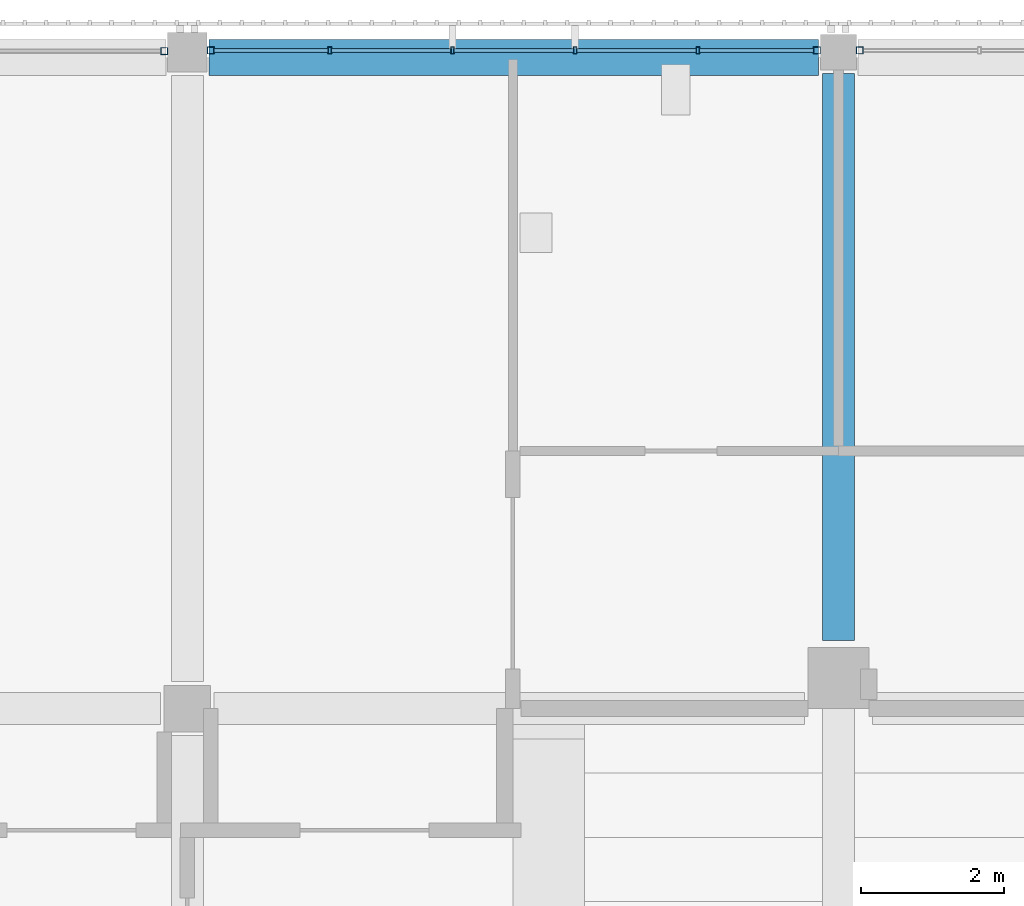
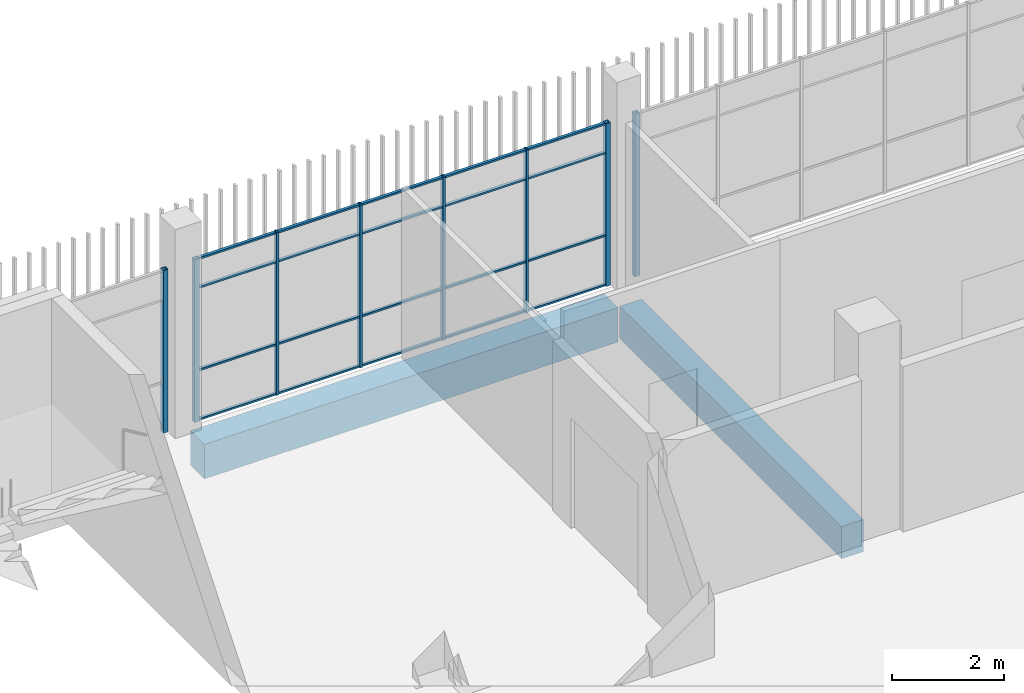
# One storey, part 38 of 139: 28 members, 2 beams, 3 elements without a shape of their own.
"""IFC4 building model written with IfcOpenShell, lengths in metres."""

from ifc_helpers import new_model, si_unit, direction, frame, origin, origin_2d, place, context, subcontext, project, spatial, rectangle, hollow_rectangle, extrude, material, layer, layer_set, material_profile, profile_set, type_object, element, aggregate, save


model = new_model("IFC4")

# Units and contexts
model_context = context("Model", 3, precision=1e-05, world=origin(), true_north=direction((0.0, 1.0)))
body_context = subcontext(model_context, "Body", "Model", "MODEL_VIEW")
ifc_project = project(units=[si_unit("LENGTHUNIT", "METRE"), si_unit("AREAUNIT", "SQUARE_METRE"), si_unit("VOLUMEUNIT", "CUBIC_METRE"), si_unit("PLANEANGLEUNIT", "RADIAN"), si_unit("MASSUNIT", "GRAM", prefix="KILO")], contexts=[model_context])

# Site, building, storey
site_placement = place(None, origin())
site = spatial("IfcSite", under=ifc_project, at=site_placement, CompositionType="ELEMENT")
building_placement = place(site_placement, origin())
building = spatial("IfcBuilding", under=site, at=building_placement, Name="Shirokan Park Arena", CompositionType="ELEMENT")
storey_placement = place(building_placement, frame((0.0, 0.0, 15.469970703125)))
storey = spatial("IfcBuildingStorey", under=building, at=storey_placement, Name="L03", CompositionType="ELEMENT", Elevation=15.469970703125)

# Curtain wall, member
ifc_material_1 = material(Name="Steel and glass curtain wall", Category="steel")
ifc_layer_1 = layer(ifc_material_1, 0.10009765625)
ifc_layer_set_1 = layer_set([ifc_layer_1], Name="Steel and glass curtain wall 100 mm")
curtain_wall_type_1 = type_object("IfcCurtainWallType", Name="Curtain wall sheltered bay 100", PredefinedType="NOTDEFINED", material=ifc_layer_set_1)
curtain_wall_1_placement = place(storey_placement, origin())
curtain_wall_1 = element("IfcCurtainWall", 1, at=curtain_wall_1_placement, inside=storey, type_object=curtain_wall_type_1, Name="Curtain wall north bay 11 L03", PredefinedType="NOTDEFINED")
ifc_material_2 = material(Name="Steel S355", Category="steel")
ifc_material_profile_1 = material_profile(ifc_material_2, hollow_rectangle(XDim=0.10009765625, YDim=0.10009765625, WallThickness=0.006103515625, at=origin_2d()), Name="RHS 100x100x6")
ifc_profile_set_1 = profile_set([ifc_material_profile_1], Name="Steel S355")
member_type_1 = type_object("IfcMemberType", Name="Mullion RHS 100x100x6", PredefinedType="MULLION", material=ifc_profile_set_1)
member_1_placement = place(storey_placement, frame((45.800048828125, 109.300048828125, 0.0), z_axis=(0.0, 0.0, 1.0), x_axis=(0.0, -1.0, 0.0)))
member_1 = element("IfcMember", 2, at=member_1_placement, type_object=member_type_1, Name="CW2 mullion 6", PredefinedType="MULLION", context=body_context, shape_type="SweptSolid", body=[
    extrude(hollow_rectangle(XDim=0.10009765625, YDim=0.10009765625, WallThickness=0.006103515625, at=origin_2d()), origin(), (0.0, 0.0, 1.0), 3.550048828125),
])
aggregate(curtain_wall_1, [member_1])

# Curtain wall, members
curtain_wall_2_placement = place(storey_placement, origin())
curtain_wall_2 = element("IfcCurtainWall", 3, at=curtain_wall_2_placement, inside=storey, type_object=curtain_wall_type_1, Name="Curtain wall north bay 12 L03", PredefinedType="NOTDEFINED")
member_2_placement = place(storey_placement, frame((45.199951171875, 109.300048828125, 0.0), z_axis=(0.0, 0.0, 1.0), x_axis=(0.0, -1.0, 0.0)))
member_2 = element("IfcMember", 4, at=member_2_placement, type_object=member_type_1, Name="CW2 mullion 1", PredefinedType="MULLION", context=body_context, shape_type="SweptSolid", body=[
    extrude(hollow_rectangle(XDim=0.10009765625, YDim=0.10009765625, WallThickness=0.006103515625, at=origin_2d()), origin(), (0.0, 0.0, 1.0), 3.550048828125),
])
member_3_placement = place(storey_placement, frame((36.72509765625, 109.300048828125, 0.0), z_axis=(0.0, 0.0, 1.0), x_axis=(0.0, -1.0, 0.0)))
member_3 = element("IfcMember", 5, at=member_3_placement, type_object=member_type_1, Name="CW2 mullion 6", PredefinedType="MULLION", context=body_context, shape_type="SweptSolid", body=[
    extrude(hollow_rectangle(XDim=0.10009765625, YDim=0.10009765625, WallThickness=0.006103515625, at=origin_2d()), origin(), (0.0, 0.0, 1.0), 3.550048828125),
])

# Curtain wall, member
ifc_layer_2 = layer(ifc_material_1, 0.1201171875)
ifc_layer_set_2 = layer_set([ifc_layer_2], Name="Steel and glass curtain wall 120 mm")
curtain_wall_type_2 = type_object("IfcCurtainWallType", Name="Curtain wall corner block side bay 120", PredefinedType="NOTDEFINED", material=ifc_layer_set_2)
curtain_wall_3_placement = place(storey_placement, origin())
curtain_wall_3 = element("IfcCurtainWall", 6, at=curtain_wall_3_placement, inside=storey, type_object=curtain_wall_type_2, Name="Curtain wall north bay 13 L03", PredefinedType="NOTDEFINED")
member_4_placement = place(storey_placement, frame((36.074951171875, 109.2900390625, 0.0), z_axis=(0.0, 0.0, 1.0), x_axis=(0.0, -1.0, 0.0)))
member_4 = element("IfcMember", 7, at=member_4_placement, type_object=member_type_1, Name="CW3 mullion 1", PredefinedType="MULLION", context=body_context, shape_type="SweptSolid", body=[
    extrude(hollow_rectangle(XDim=0.10009765625, YDim=0.10009765625, WallThickness=0.006103515625, at=origin_2d()), origin(), (0.0, 0.0, 1.0), 3.550048828125),
])
aggregate(curtain_wall_3, [member_4])

# Member
ifc_material_profile_2 = material_profile(ifc_material_2, hollow_rectangle(XDim=0.10009765625, YDim=0.050048828125, WallThickness=0.0048828125, at=origin_2d()), Name="RHS 100x50x5")
ifc_profile_set_2 = profile_set([ifc_material_profile_2], Name="Steel S355")
member_type_2 = type_object("IfcMemberType", Name="Mullion RHS 100x50x5", PredefinedType="MULLION", material=ifc_profile_set_2)
member_5_placement = place(storey_placement, frame((43.534912109375, 109.300048828125, 0.0), z_axis=(0.0, 0.0, 1.0), x_axis=(0.0, -1.0, 0.0)))
member_5 = element("IfcMember", 8, at=member_5_placement, type_object=member_type_2, Name="CW2 mullion 2", PredefinedType="MULLION", context=body_context, shape_type="SweptSolid", body=[
    extrude(hollow_rectangle(XDim=0.10009765625, YDim=0.050048828125, WallThickness=0.0048828125, at=origin_2d()), origin(), (0.0, 0.0, 1.0), 3.550048828125),
])

member_6_placement = place(storey_placement, frame((41.820068359375, 109.300048828125, 0.0), z_axis=(0.0, 0.0, 1.0), x_axis=(0.0, -1.0, 0.0)))
member_6 = element("IfcMember", 9, at=member_6_placement, type_object=member_type_2, Name="CW2 mullion 3", PredefinedType="MULLION", context=body_context, shape_type="SweptSolid", body=[
    extrude(hollow_rectangle(XDim=0.10009765625, YDim=0.050048828125, WallThickness=0.0048828125, at=origin_2d()), origin(), (0.0, 0.0, 1.0), 3.550048828125),
])

member_7_placement = place(storey_placement, frame((40.10498046875, 109.300048828125, 0.0), z_axis=(0.0, 0.0, 1.0), x_axis=(0.0, -1.0, 0.0)))
member_7 = element("IfcMember", 10, at=member_7_placement, type_object=member_type_2, Name="CW2 mullion 4", PredefinedType="MULLION", context=body_context, shape_type="SweptSolid", body=[
    extrude(hollow_rectangle(XDim=0.10009765625, YDim=0.050048828125, WallThickness=0.0048828125, at=origin_2d()), origin(), (0.0, 0.0, 1.0), 3.550048828125),
])

member_8_placement = place(storey_placement, frame((38.389892578125, 109.300048828125, 0.0), z_axis=(0.0, 0.0, 1.0), x_axis=(0.0, -1.0, 0.0)))
member_8 = element("IfcMember", 11, at=member_8_placement, type_object=member_type_2, Name="CW2 mullion 5", PredefinedType="MULLION", context=body_context, shape_type="SweptSolid", body=[
    extrude(hollow_rectangle(XDim=0.10009765625, YDim=0.050048828125, WallThickness=0.0048828125, at=origin_2d()), origin(), (0.0, 0.0, 1.0), 3.550048828125),
])

# Beams
ifc_material_3 = material(Name="Concrete C35", Category="concrete")
ifc_material_profile_3 = material_profile(ifc_material_3, rectangle(XDim=0.449951171875, YDim=0.699951171875, at=origin_2d()), Name="450x700")
ifc_profile_set_3 = profile_set([ifc_material_profile_3], Name="Concrete C35")
beam_type_1 = type_object("IfcBeamType", Name="RC girder 450x700", PredefinedType="BEAM", material=ifc_profile_set_3)
beam_1_placement = place(storey_placement, frame((45.5, 101.050048828125, -0.64990234375), z_axis=(0.0, 1.0, 0.0), x_axis=(-1.0, 0.0, 0.0)))
element("IfcBeam", 12, at=beam_1_placement, inside=storey, type_object=beam_type_1, Name="Girder 6M-6N L03", PredefinedType="BEAM", context=body_context, shape_type="SweptSolid", body=[
    extrude(rectangle(XDim=0.449951171875, YDim=0.699951171875, at=origin_2d()), origin(), (0.0, 0.0, 1.0), 7.9248046875),
])
ifc_material_profile_4 = material_profile(ifc_material_3, rectangle(XDim=0.5, YDim=0.75, at=origin_2d()), Name="500x750")
ifc_profile_set_4 = profile_set([ifc_material_profile_4], Name="Concrete C35")
beam_type_2 = type_object("IfcBeamType", Name="RC girder 500x750", PredefinedType="BEAM", material=ifc_profile_set_4)
beam_2_placement = place(storey_placement, frame((36.7001953125, 109.199951171875, -0.675048828125), z_axis=(1.0, 0.0, 0.0), x_axis=(0.0, 1.0, 0.0)))
element("IfcBeam", 13, at=beam_2_placement, inside=storey, type_object=beam_type_2, Name="Girder 5N-6N L03", PredefinedType="BEAM", context=body_context, shape_type="SweptSolid", body=[
    extrude(rectangle(XDim=0.5, YDim=0.75, at=origin_2d()), origin(), (0.0, 0.0, 1.0), 8.524658203125),
])

# Member
ifc_material_profile_5 = material_profile(ifc_material_2, hollow_rectangle(XDim=0.06005859375, YDim=0.0400390625, WallThickness=0.00390625, at=origin_2d()), Name="RHS 60x40x4")
ifc_profile_set_5 = profile_set([ifc_material_profile_5], Name="Steel S355")
member_type_3 = type_object("IfcMemberType", Name="Transom RHS 60x40x4", PredefinedType="MULLION", material=ifc_profile_set_5)
member_9_placement = place(storey_placement, frame((45.14990234375, 109.300048828125, 0.02001953125), z_axis=(-1.0, 0.0, 0.0), x_axis=(0.0, -1.0, 0.0)))
member_9 = element("IfcMember", 14, at=member_9_placement, type_object=member_type_3, Name="CW2 transom 1.1", PredefinedType="MULLION", context=body_context, shape_type="SweptSolid", body=[
    extrude(hollow_rectangle(XDim=0.06005859375, YDim=0.0400390625, WallThickness=0.00390625, at=origin_2d()), origin(), (0.0, 0.0, 1.0), 1.58984375),
])

member_10_placement = place(storey_placement, frame((45.14990234375, 109.300048828125, 1.10009765625), z_axis=(-1.0, 0.0, 0.0), x_axis=(0.0, -1.0, 0.0)))
member_10 = element("IfcMember", 15, at=member_10_placement, type_object=member_type_3, Name="CW2 transom 1.2", PredefinedType="MULLION", context=body_context, shape_type="SweptSolid", body=[
    extrude(hollow_rectangle(XDim=0.06005859375, YDim=0.0400390625, WallThickness=0.00390625, at=origin_2d()), origin(), (0.0, 0.0, 1.0), 1.58984375),
])

member_11_placement = place(storey_placement, frame((45.14990234375, 109.300048828125, 2.900146484375), z_axis=(-1.0, 0.0, 0.0), x_axis=(0.0, -1.0, 0.0)))
member_11 = element("IfcMember", 16, at=member_11_placement, type_object=member_type_3, Name="CW2 transom 1.3", PredefinedType="MULLION", context=body_context, shape_type="SweptSolid", body=[
    extrude(hollow_rectangle(XDim=0.06005859375, YDim=0.0400390625, WallThickness=0.00390625, at=origin_2d()), origin(), (0.0, 0.0, 1.0), 1.58984375),
])

member_12_placement = place(storey_placement, frame((45.14990234375, 109.300048828125, 3.530029296875), z_axis=(-1.0, 0.0, 0.0), x_axis=(0.0, -1.0, 0.0)))
member_12 = element("IfcMember", 17, at=member_12_placement, type_object=member_type_3, Name="CW2 transom 1.4", PredefinedType="MULLION", context=body_context, shape_type="SweptSolid", body=[
    extrude(hollow_rectangle(XDim=0.06005859375, YDim=0.0400390625, WallThickness=0.00390625, at=origin_2d()), origin(), (0.0, 0.0, 1.0), 1.58984375),
])

member_13_placement = place(storey_placement, frame((43.510009765625, 109.300048828125, 0.02001953125), z_axis=(-1.0, 0.0, 0.0), x_axis=(0.0, -1.0, 0.0)))
member_13 = element("IfcMember", 18, at=member_13_placement, type_object=member_type_3, Name="CW2 transom 2.1", PredefinedType="MULLION", context=body_context, shape_type="SweptSolid", body=[
    extrude(hollow_rectangle(XDim=0.06005859375, YDim=0.0400390625, WallThickness=0.00390625, at=origin_2d()), origin(), (0.0, 0.0, 1.0), 1.6650390625),
])

member_14_placement = place(storey_placement, frame((43.510009765625, 109.300048828125, 1.10009765625), z_axis=(-1.0, 0.0, 0.0), x_axis=(0.0, -1.0, 0.0)))
member_14 = element("IfcMember", 19, at=member_14_placement, type_object=member_type_3, Name="CW2 transom 2.2", PredefinedType="MULLION", context=body_context, shape_type="SweptSolid", body=[
    extrude(hollow_rectangle(XDim=0.06005859375, YDim=0.0400390625, WallThickness=0.00390625, at=origin_2d()), origin(), (0.0, 0.0, 1.0), 1.6650390625),
])

member_15_placement = place(storey_placement, frame((43.510009765625, 109.300048828125, 2.900146484375), z_axis=(-1.0, 0.0, 0.0), x_axis=(0.0, -1.0, 0.0)))
member_15 = element("IfcMember", 20, at=member_15_placement, type_object=member_type_3, Name="CW2 transom 2.3", PredefinedType="MULLION", context=body_context, shape_type="SweptSolid", body=[
    extrude(hollow_rectangle(XDim=0.06005859375, YDim=0.0400390625, WallThickness=0.00390625, at=origin_2d()), origin(), (0.0, 0.0, 1.0), 1.6650390625),
])

member_16_placement = place(storey_placement, frame((43.510009765625, 109.300048828125, 3.530029296875), z_axis=(-1.0, 0.0, 0.0), x_axis=(0.0, -1.0, 0.0)))
member_16 = element("IfcMember", 21, at=member_16_placement, type_object=member_type_3, Name="CW2 transom 2.4", PredefinedType="MULLION", context=body_context, shape_type="SweptSolid", body=[
    extrude(hollow_rectangle(XDim=0.06005859375, YDim=0.0400390625, WallThickness=0.00390625, at=origin_2d()), origin(), (0.0, 0.0, 1.0), 1.6650390625),
])

member_17_placement = place(storey_placement, frame((41.794921875, 109.300048828125, 0.02001953125), z_axis=(-1.0, 0.0, 0.0), x_axis=(0.0, -1.0, 0.0)))
member_17 = element("IfcMember", 22, at=member_17_placement, type_object=member_type_3, Name="CW2 transom 3.1", PredefinedType="MULLION", context=body_context, shape_type="SweptSolid", body=[
    extrude(hollow_rectangle(XDim=0.06005859375, YDim=0.0400390625, WallThickness=0.00390625, at=origin_2d()), origin(), (0.0, 0.0, 1.0), 1.6650390625),
])

member_18_placement = place(storey_placement, frame((41.794921875, 109.300048828125, 1.10009765625), z_axis=(-1.0, 0.0, 0.0), x_axis=(0.0, -1.0, 0.0)))
member_18 = element("IfcMember", 23, at=member_18_placement, type_object=member_type_3, Name="CW2 transom 3.2", PredefinedType="MULLION", context=body_context, shape_type="SweptSolid", body=[
    extrude(hollow_rectangle(XDim=0.06005859375, YDim=0.0400390625, WallThickness=0.00390625, at=origin_2d()), origin(), (0.0, 0.0, 1.0), 1.6650390625),
])

member_19_placement = place(storey_placement, frame((41.794921875, 109.300048828125, 2.900146484375), z_axis=(-1.0, 0.0, 0.0), x_axis=(0.0, -1.0, 0.0)))
member_19 = element("IfcMember", 24, at=member_19_placement, type_object=member_type_3, Name="CW2 transom 3.3", PredefinedType="MULLION", context=body_context, shape_type="SweptSolid", body=[
    extrude(hollow_rectangle(XDim=0.06005859375, YDim=0.0400390625, WallThickness=0.00390625, at=origin_2d()), origin(), (0.0, 0.0, 1.0), 1.6650390625),
])

member_20_placement = place(storey_placement, frame((41.794921875, 109.300048828125, 3.530029296875), z_axis=(-1.0, 0.0, 0.0), x_axis=(0.0, -1.0, 0.0)))
member_20 = element("IfcMember", 25, at=member_20_placement, type_object=member_type_3, Name="CW2 transom 3.4", PredefinedType="MULLION", context=body_context, shape_type="SweptSolid", body=[
    extrude(hollow_rectangle(XDim=0.06005859375, YDim=0.0400390625, WallThickness=0.00390625, at=origin_2d()), origin(), (0.0, 0.0, 1.0), 1.6650390625),
])

member_21_placement = place(storey_placement, frame((40.080078125, 109.300048828125, 0.02001953125), z_axis=(-1.0, 0.0, 0.0), x_axis=(0.0, -1.0, 0.0)))
member_21 = element("IfcMember", 26, at=member_21_placement, type_object=member_type_3, Name="CW2 transom 4.1", PredefinedType="MULLION", context=body_context, shape_type="SweptSolid", body=[
    extrude(hollow_rectangle(XDim=0.06005859375, YDim=0.0400390625, WallThickness=0.00390625, at=origin_2d()), origin(), (0.0, 0.0, 1.0), 1.6650390625),
])

member_22_placement = place(storey_placement, frame((40.080078125, 109.300048828125, 1.10009765625), z_axis=(-1.0, 0.0, 0.0), x_axis=(0.0, -1.0, 0.0)))
member_22 = element("IfcMember", 27, at=member_22_placement, type_object=member_type_3, Name="CW2 transom 4.2", PredefinedType="MULLION", context=body_context, shape_type="SweptSolid", body=[
    extrude(hollow_rectangle(XDim=0.06005859375, YDim=0.0400390625, WallThickness=0.00390625, at=origin_2d()), origin(), (0.0, 0.0, 1.0), 1.6650390625),
])

member_23_placement = place(storey_placement, frame((40.080078125, 109.300048828125, 2.900146484375), z_axis=(-1.0, 0.0, 0.0), x_axis=(0.0, -1.0, 0.0)))
member_23 = element("IfcMember", 28, at=member_23_placement, type_object=member_type_3, Name="CW2 transom 4.3", PredefinedType="MULLION", context=body_context, shape_type="SweptSolid", body=[
    extrude(hollow_rectangle(XDim=0.06005859375, YDim=0.0400390625, WallThickness=0.00390625, at=origin_2d()), origin(), (0.0, 0.0, 1.0), 1.6650390625),
])

member_24_placement = place(storey_placement, frame((40.080078125, 109.300048828125, 3.530029296875), z_axis=(-1.0, 0.0, 0.0), x_axis=(0.0, -1.0, 0.0)))
member_24 = element("IfcMember", 29, at=member_24_placement, type_object=member_type_3, Name="CW2 transom 4.4", PredefinedType="MULLION", context=body_context, shape_type="SweptSolid", body=[
    extrude(hollow_rectangle(XDim=0.06005859375, YDim=0.0400390625, WallThickness=0.00390625, at=origin_2d()), origin(), (0.0, 0.0, 1.0), 1.6650390625),
])

member_25_placement = place(storey_placement, frame((38.364990234375, 109.300048828125, 0.02001953125), z_axis=(-1.0, 0.0, 0.0), x_axis=(0.0, -1.0, 0.0)))
member_25 = element("IfcMember", 30, at=member_25_placement, type_object=member_type_3, Name="CW2 transom 5.1", PredefinedType="MULLION", context=body_context, shape_type="SweptSolid", body=[
    extrude(hollow_rectangle(XDim=0.06005859375, YDim=0.0400390625, WallThickness=0.00390625, at=origin_2d()), origin(), (0.0, 0.0, 1.0), 1.590087890625),
])

member_26_placement = place(storey_placement, frame((38.364990234375, 109.300048828125, 1.10009765625), z_axis=(-1.0, 0.0, 0.0), x_axis=(0.0, -1.0, 0.0)))
member_26 = element("IfcMember", 31, at=member_26_placement, type_object=member_type_3, Name="CW2 transom 5.2", PredefinedType="MULLION", context=body_context, shape_type="SweptSolid", body=[
    extrude(hollow_rectangle(XDim=0.06005859375, YDim=0.0400390625, WallThickness=0.00390625, at=origin_2d()), origin(), (0.0, 0.0, 1.0), 1.590087890625),
])

member_27_placement = place(storey_placement, frame((38.364990234375, 109.300048828125, 2.900146484375), z_axis=(-1.0, 0.0, 0.0), x_axis=(0.0, -1.0, 0.0)))
member_27 = element("IfcMember", 32, at=member_27_placement, type_object=member_type_3, Name="CW2 transom 5.3", PredefinedType="MULLION", context=body_context, shape_type="SweptSolid", body=[
    extrude(hollow_rectangle(XDim=0.06005859375, YDim=0.0400390625, WallThickness=0.00390625, at=origin_2d()), origin(), (0.0, 0.0, 1.0), 1.590087890625),
])

member_28_placement = place(storey_placement, frame((38.364990234375, 109.300048828125, 3.530029296875), z_axis=(-1.0, 0.0, 0.0), x_axis=(0.0, -1.0, 0.0)))
member_28 = element("IfcMember", 33, at=member_28_placement, type_object=member_type_3, Name="CW2 transom 5.4", PredefinedType="MULLION", context=body_context, shape_type="SweptSolid", body=[
    extrude(hollow_rectangle(XDim=0.06005859375, YDim=0.0400390625, WallThickness=0.00390625, at=origin_2d()), origin(), (0.0, 0.0, 1.0), 1.590087890625),
])

aggregate(curtain_wall_2, [member_2, member_5, member_6, member_7, member_8, member_3, member_9, member_10, member_11, member_12, member_13, member_14, member_15, member_16, member_17, member_18, member_19, member_20, member_21, member_22, member_23, member_24, member_25, member_26, member_27, member_28])

save(model, "model.ifc")
